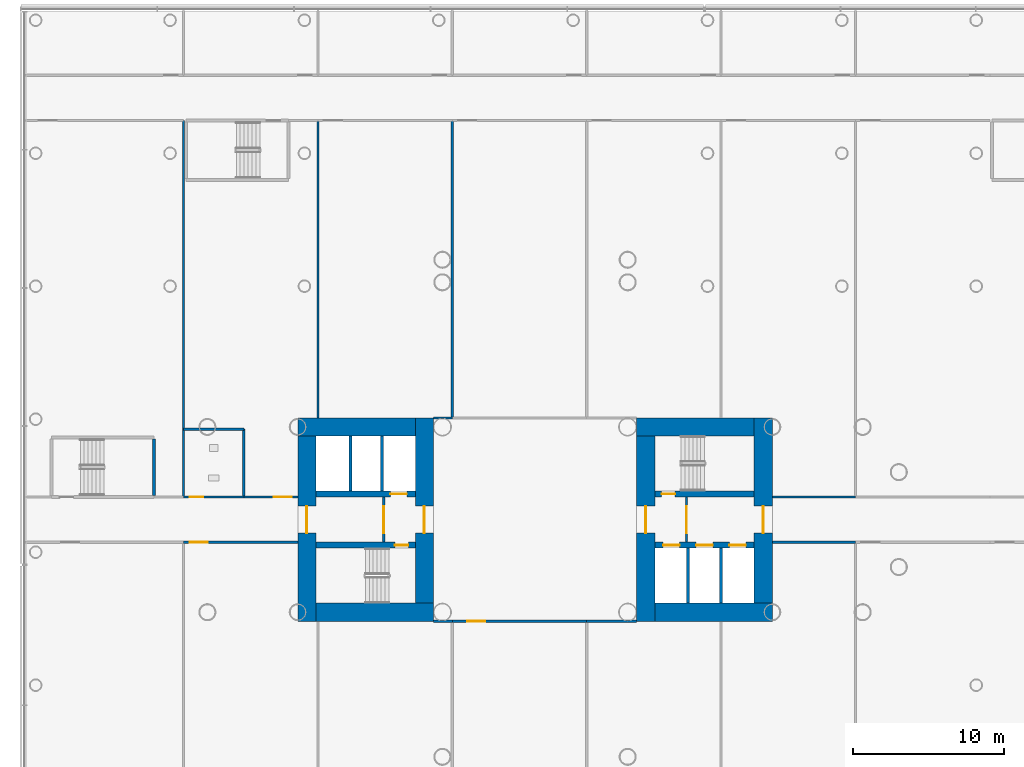
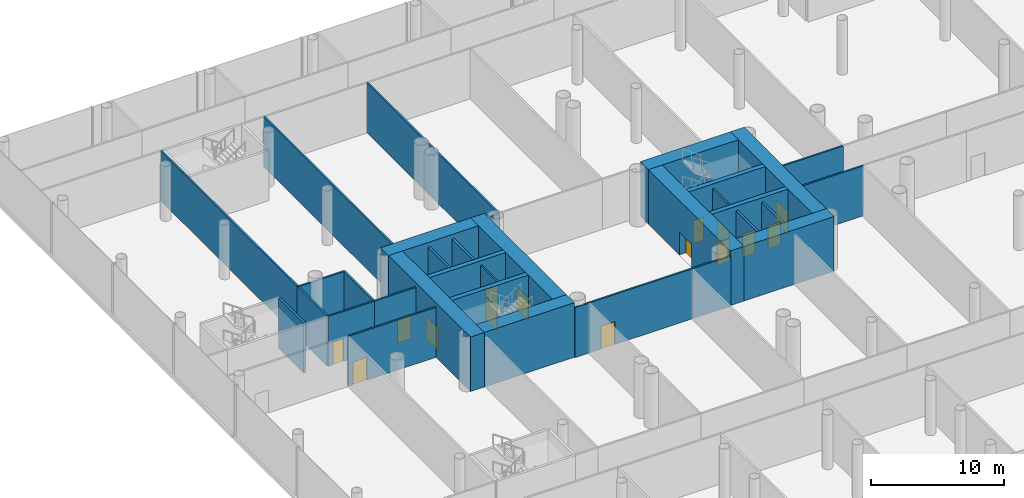
# One storey, part 18 of 59: 34 walls, 16 doors, 16 openings.
"""IFC4 building model written with IfcOpenShell, lengths in metres."""

from ifc_helpers import new_model, si_unit, direction, frame, frame_2d, origin, place, context, subcontext, project, spatial, rectangle, extrude, material, layer, layer_set, type_object, element, fill, save


model = new_model("IFC4")

# Units and contexts
model_context = context("Model", 3, precision=1e-05, world=origin(), true_north=direction((0.0, 1.0)))
body_context = subcontext(model_context, "Body", "Model", "MODEL_VIEW")
ifc_project = project(units=[si_unit("LENGTHUNIT", "METRE"), si_unit("AREAUNIT", "SQUARE_METRE"), si_unit("VOLUMEUNIT", "CUBIC_METRE"), si_unit("PLANEANGLEUNIT", "RADIAN"), si_unit("MASSUNIT", "GRAM", prefix="KILO")], contexts=[model_context])

# Site, building, storey
site_placement = place(None, origin())
site = spatial("IfcSite", under=ifc_project, at=site_placement, CompositionType="ELEMENT")
building_placement = place(site_placement, origin())
building = spatial("IfcBuilding", under=site, at=building_placement, Name="Ipe Terrace Towers", CompositionType="ELEMENT")
storey_placement = place(building_placement, frame((0.0, 0.0, 6.0)))
storey = spatial("IfcBuildingStorey", under=building, at=storey_placement, Name="L01", CompositionType="ELEMENT", Elevation=6.0)

# Wall, opening, door
ifc_material_1 = material(Name="Gypsum board partition", Category="plasterboard")
ifc_layer_1 = layer(ifc_material_1, 0.14990234375)
ifc_layer_set_1 = layer_set([ifc_layer_1], Name="Gypsum board partition 150 mm")
wall_type_1 = type_object("IfcWallType", Name="Gypsum board partition 150 mm", PredefinedType="PARTITIONING", material=ifc_layer_set_1)
wall_1_placement = place(storey_placement, frame((-25.949951171875, -1.5, 0.0), z_axis=(0.0, 0.0, 1.0), x_axis=(0.0, 1.0, 0.0)))
wall_1 = element("IfcWall", 1, at=wall_1_placement, inside=storey, type_object=wall_type_1, Name="Gypsum board partition T1 L01 t1c1-lobby-wall", PredefinedType="PARTITIONING", context=body_context, shape_type="SweptSolid", body=[
    extrude(rectangle(XDim=3.0, YDim=0.14990234375, at=frame_2d((1.5, 0.0))), origin(), (0.0, 0.0, 1.0), 4.580078125),
])
opening_1_placement = place(wall_1_placement, frame((0.60009765625, 0.0, 0.0)))
opening_1 = element("IfcOpeningElement", 2, at=opening_1_placement, cuts=wall_1, Name="Opening T1C1-VD", PredefinedType="OPENING", context=body_context, shape_type="SweptSolid", body=[
    extrude(rectangle(XDim=1.800048828125, YDim=2.10009765625, at=frame_2d((0.89990234375, 1.050048828125))), frame((0.0, 0.0849609375, 0.0), z_axis=(0.0, -1.0, 0.0), x_axis=(1.0, 0.0, 0.0)), (0.0, 0.0, 1.0), 0.169921875),
])
ifc_material_2 = material(Name="Fire-rated timber door leaf", Category="wood")
door_type_1 = type_object("IfcDoorType", Name="Lobby door 1800 x 2100 FD60", OperationType="NOTDEFINED", PredefinedType="DOOR", material=ifc_material_2)
door_1_placement = place(opening_1_placement, origin())
door_1 = element("IfcDoor", 3, at=door_1_placement, inside=storey, type_object=door_type_1, Name="Lobby door T1C1-VD", OperationType="SINGLE_SWING_LEFT", OverallHeight=2.10009765625, OverallWidth=1.800048828125, PredefinedType="DOOR", context=body_context, shape_type="SweptSolid", body=[
    extrude(rectangle(XDim=1.800048828125, YDim=2.10009765625, at=frame_2d((0.89990234375, 1.050048828125))), frame((0.0, 0.02490234375, 0.0), z_axis=(0.0, -1.0, 0.0), x_axis=(1.0, 0.0, 0.0)), (0.0, 0.0, 1.0), 0.050048828125),
])
fill(opening_1, door_1)

wall_2_placement = place(storey_placement, frame((-46.050048828125, 1.5, 0.0), z_axis=(0.0, 0.0, 1.0), x_axis=(0.0, -1.0, 0.0)))
wall_2 = element("IfcWall", 4, at=wall_2_placement, inside=storey, type_object=wall_type_1, Name="Gypsum board partition T1 L01 t1c2-lobby-wall", PredefinedType="PARTITIONING", context=body_context, shape_type="SweptSolid", body=[
    extrude(rectangle(XDim=3.0, YDim=0.14990234375, at=frame_2d((1.5, 0.0))), origin(), (0.0, 0.0, 1.0), 4.580078125),
])
opening_2_placement = place(wall_2_placement, frame((0.60009765625, 0.0, 0.0)))
opening_2 = element("IfcOpeningElement", 5, at=opening_2_placement, cuts=wall_2, Name="Opening T1C2-VD", PredefinedType="OPENING", context=body_context, shape_type="SweptSolid", body=[
    extrude(rectangle(XDim=1.800048828125, YDim=2.10009765625, at=frame_2d((0.89990234375, 1.050048828125))), frame((0.0, 0.0849609375, 0.0), z_axis=(0.0, -1.0, 0.0), x_axis=(1.0, 0.0, 0.0)), (0.0, 0.0, 1.0), 0.169921875),
])
door_2_placement = place(opening_2_placement, origin())
door_2 = element("IfcDoor", 6, at=door_2_placement, inside=storey, type_object=door_type_1, Name="Lobby door T1C2-VD", OperationType="SINGLE_SWING_LEFT", OverallHeight=2.10009765625, OverallWidth=1.800048828125, PredefinedType="DOOR", context=body_context, shape_type="SweptSolid", body=[
    extrude(rectangle(XDim=1.800048828125, YDim=2.10009765625, at=frame_2d((0.89990234375, 1.050048828125))), frame((0.0, 0.02490234375, 0.0), z_axis=(0.0, -1.0, 0.0), x_axis=(1.0, 0.0, 0.0)), (0.0, 0.0, 1.0), 0.050048828125),
])
fill(opening_2, door_2)

# Wall
wall_3_placement = place(storey_placement, frame((-59.330078125, 26.5, 0.0), z_axis=(0.0, 0.0, 1.0), x_axis=(0.0, -1.0, 0.0)))
element("IfcWall", 7, at=wall_3_placement, inside=storey, type_object=wall_type_1, Name="Gypsum board partition T1 L01 pd-r2-r7-w8", PredefinedType="PARTITIONING", context=body_context, shape_type="SweptSolid", body=[
    extrude(rectangle(XDim=20.5, YDim=0.14990234375, at=frame_2d((10.25, 0.0))), origin(), (0.0, 0.0, 1.0), 4.580078125),
])

# Wall, opening, door
wall_4_placement = place(storey_placement, frame((-59.330078125, -1.5, 0.0), z_axis=(0.0, 0.0, 1.0), x_axis=(1.0, 0.0, 0.0)))
wall_4 = element("IfcWall", 8, at=wall_4_placement, inside=storey, type_object=wall_type_1, Name="Gypsum board partition T1 L01 pd-r5-w13", PredefinedType="PARTITIONING", context=body_context, shape_type="SweptSolid", body=[
    extrude(rectangle(XDim=7.580078125, YDim=0.14990234375, at=frame_2d((3.7900390625, 0.0))), origin(), (0.0, 0.0, 1.0), 4.580078125),
])
opening_3_placement = place(wall_4_placement, frame((0.39990234375, 0.0, 0.0)))
opening_3 = element("IfcOpeningElement", 9, at=opening_3_placement, cuts=wall_4, Name="Opening PD-L01-r5", PredefinedType="OPENING", context=body_context, shape_type="SweptSolid", body=[
    extrude(rectangle(XDim=1.199951171875, YDim=2.10009765625, at=frame_2d((0.60009765625, 1.050048828125))), frame((0.0, 0.0849609375, 0.0), z_axis=(0.0, -1.0, 0.0), x_axis=(1.0, 0.0, 0.0)), (0.0, 0.0, 1.0), 0.169921875),
])
ifc_material_3 = material(Name="Fire-rated timber door leaf", Category="wood")
door_type_2 = type_object("IfcDoorType", Name="Lounge door 1200 x 2100 FD30S", OperationType="NOTDEFINED", PredefinedType="DOOR", material=ifc_material_3)
door_3_placement = place(opening_3_placement, origin())
door_3 = element("IfcDoor", 10, at=door_3_placement, inside=storey, type_object=door_type_2, Name="Lounge door PD-L01-r5", OperationType="SINGLE_SWING_RIGHT", OverallHeight=2.10009765625, OverallWidth=1.199951171875, PredefinedType="DOOR", context=body_context, shape_type="SweptSolid", body=[
    extrude(rectangle(XDim=1.199951171875, YDim=2.10009765625, at=frame_2d((0.60009765625, 1.050048828125))), frame((0.0, 0.02490234375, 0.0), z_axis=(0.0, -1.0, 0.0), x_axis=(1.0, 0.0, 0.0)), (0.0, 0.0, 1.0), 0.050048828125),
])
fill(opening_3, door_3)

wall_5_placement = place(storey_placement, frame((-51.75, 1.5, 0.0), z_axis=(0.0, 0.0, 1.0), x_axis=(-1.0, 0.0, 0.0)))
wall_5 = element("IfcWall", 11, at=wall_5_placement, inside=storey, type_object=wall_type_1, Name="Gypsum board partition T1 L01 pd-r7-w17", PredefinedType="PARTITIONING", context=body_context, shape_type="SweptSolid", body=[
    extrude(rectangle(XDim=3.580078125, YDim=0.14990234375, at=frame_2d((1.7900390625, 0.0))), origin(), (0.0, 0.0, 1.0), 4.580078125),
])
opening_4_placement = place(wall_5_placement, frame((0.39990234375, 0.0, 0.0)))
opening_4 = element("IfcOpeningElement", 12, at=opening_4_placement, cuts=wall_5, Name="Opening PD-L01-r7", PredefinedType="OPENING", context=body_context, shape_type="SweptSolid", body=[
    extrude(rectangle(XDim=1.199951171875, YDim=2.10009765625, at=frame_2d((0.60009765625, 1.050048828125))), frame((0.0, 0.0849609375, 0.0), z_axis=(0.0, -1.0, 0.0), x_axis=(1.0, 0.0, 0.0)), (0.0, 0.0, 1.0), 0.169921875),
])
door_4_placement = place(opening_4_placement, origin())
door_4 = element("IfcDoor", 13, at=door_4_placement, inside=storey, type_object=door_type_2, Name="Lounge door PD-L01-r7", OperationType="SINGLE_SWING_RIGHT", OverallHeight=2.10009765625, OverallWidth=1.199951171875, PredefinedType="DOOR", context=body_context, shape_type="SweptSolid", body=[
    extrude(rectangle(XDim=1.199951171875, YDim=2.10009765625, at=frame_2d((0.60009765625, 1.050048828125))), frame((0.0, 0.02490234375, 0.0), z_axis=(0.0, -1.0, 0.0), x_axis=(1.0, 0.0, 0.0)), (0.0, 0.0, 1.0), 0.050048828125),
])
fill(opening_4, door_4)

# Walls
for number, where, z_axis, x_axis, name in (
    (14, (-42.75, -6.75, 0.0), (0.0, 0.0, 1.0), (1.0, 0.0, 0.0), "Gypsum board partition T1 L01 pd-r9-w20"),
    (15, (-41.489990234375, 6.75, 0.0), (0.0, 0.0, 1.0), (-1.0, 0.0, 0.0), "Gypsum board partition T1 L01 pd-r11-w26"),
):
    element("IfcWall", number, at=place(storey_placement, frame(where, z_axis=z_axis, x_axis=x_axis)), inside=storey, type_object=wall_type_1, Name=name, PredefinedType="PARTITIONING", context=body_context, shape_type="SweptSolid", body=[
        extrude(rectangle(XDim=1.260009765625, YDim=0.14990234375, at=frame_2d((0.6298828125, 0.0))), origin(), (0.0, 0.0, 1.0), 4.580078125),
    ])
for number, where, z_axis, x_axis, name in (
    (16, (-50.409912109375, 6.75, 0.0), (0.0, 0.0, 1.0), (0.0, 1.0, 0.0), "Gypsum board partition T1 L01 pd-r11-r7-w27"),
    (17, (-41.489990234375, 26.5, 0.0), (0.0, 0.0, 1.0), (0.0, -1.0, 0.0), "Gypsum board partition T1 L01 pd-r11-r14-w28"),
):
    element("IfcWall", number, at=place(storey_placement, frame(where, z_axis=z_axis, x_axis=x_axis)), inside=storey, type_object=wall_type_1, Name=name, PredefinedType="PARTITIONING", context=body_context, shape_type="SweptSolid", body=[
        extrude(rectangle(XDim=19.75, YDim=0.14990234375, at=frame_2d((9.875, 0.0))), origin(), (0.0, 0.0, 1.0), 4.580078125),
    ])

# Wall, opening, door
wall_6_placement = place(storey_placement, frame((-41.489990234375, -6.75, 0.0), z_axis=(0.0, 0.0, 1.0), x_axis=(1.0, 0.0, 0.0)))
wall_6 = element("IfcWall", 18, at=wall_6_placement, inside=storey, type_object=wall_type_1, Name="Gypsum board partition T1 L01 pd-r13-w32", PredefinedType="PARTITIONING", context=body_context, shape_type="SweptSolid", body=[
    extrude(rectangle(XDim=8.919921875, YDim=0.14990234375, at=frame_2d((4.4599609375, 0.0))), origin(), (0.0, 0.0, 1.0), 4.580078125),
])
opening_5_placement = place(wall_6_placement, frame((1.0, 0.0, 0.0)))
opening_5 = element("IfcOpeningElement", 19, at=opening_5_placement, cuts=wall_6, Name="Opening PD-L01-r13", PredefinedType="OPENING", context=body_context, shape_type="SweptSolid", body=[
    extrude(rectangle(XDim=1.199951171875, YDim=2.10009765625, at=frame_2d((0.60009765625, 1.050048828125))), frame((0.0, 0.0849609375, 0.0), z_axis=(0.0, -1.0, 0.0), x_axis=(1.0, 0.0, 0.0)), (0.0, 0.0, 1.0), 0.169921875),
])
door_5_placement = place(opening_5_placement, origin())
door_5 = element("IfcDoor", 20, at=door_5_placement, inside=storey, type_object=door_type_2, Name="Lounge door PD-L01-r13", OperationType="SINGLE_SWING_RIGHT", OverallHeight=2.10009765625, OverallWidth=1.199951171875, PredefinedType="DOOR", context=body_context, shape_type="SweptSolid", body=[
    extrude(rectangle(XDim=1.199951171875, YDim=2.10009765625, at=frame_2d((0.60009765625, 1.050048828125))), frame((0.0, 0.02490234375, 0.0), z_axis=(0.0, -1.0, 0.0), x_axis=(1.0, 0.0, 0.0)), (0.0, 0.0, 1.0), 0.050048828125),
])
fill(opening_5, door_5)

# Walls
wall_7_placement = place(storey_placement, frame((-32.570068359375, -6.75, 0.0), z_axis=(0.0, 0.0, 1.0), x_axis=(1.0, 0.0, 0.0)))
element("IfcWall", 21, at=wall_7_placement, inside=storey, type_object=wall_type_1, Name="Gypsum board partition T1 L01 pd-r17-w43", PredefinedType="PARTITIONING", context=body_context, shape_type="SweptSolid", body=[
    extrude(rectangle(XDim=3.320068359375, YDim=0.14990234375, at=frame_2d((1.66015625, 0.0))), origin(), (0.0, 0.0, 1.0), 4.580078125),
])
for number, where, z_axis, x_axis, name in (
    (22, (-20.25, -1.5, 0.0), (0.0, 0.0, 1.0), (1.0, 0.0, 0.0), "Gypsum board partition T1 L01 pd-r22-w55"),
    (23, (-14.72998046875, 1.5, 0.0), (0.0, 0.0, 1.0), (-1.0, 0.0, 0.0), "Gypsum board partition T1 L01 pd-r23-w59"),
):
    element("IfcWall", number, at=place(storey_placement, frame(where, z_axis=z_axis, x_axis=x_axis)), inside=storey, type_object=wall_type_1, Name=name, PredefinedType="PARTITIONING", context=body_context, shape_type="SweptSolid", body=[
        extrude(rectangle(XDim=5.52001953125, YDim=0.14990234375, at=frame_2d((2.760009765625, 0.0))), origin(), (0.0, 0.0, 1.0), 4.580078125),
    ])

# Wall, opening, door
wall_8_placement = place(storey_placement, frame((-59.330078125, 1.5, 0.0), z_axis=(0.0, 0.0, 1.0), x_axis=(1.0, 0.0, 0.0)))
wall_8 = element("IfcWall", 24, at=wall_8_placement, inside=storey, type_object=wall_type_1, Name="Gypsum board partition T1 L01 pd-c0-w67", PredefinedType="PARTITIONING", context=body_context, shape_type="SweptSolid", body=[
    extrude(rectangle(XDim=4.0, YDim=0.14990234375, at=frame_2d((2.0, 0.0))), origin(), (0.0, 0.0, 1.0), 4.580078125),
])
opening_6_placement = place(wall_8_placement, frame((0.39990234375, 0.0, 0.0)))
opening_6 = element("IfcOpeningElement", 25, at=opening_6_placement, cuts=wall_8, Name="Opening PD-L01-c0", PredefinedType="OPENING", context=body_context, shape_type="SweptSolid", body=[
    extrude(rectangle(XDim=0.89990234375, YDim=2.10009765625, at=frame_2d((0.449951171875, 1.050048828125))), frame((0.0, 0.0849609375, 0.0), z_axis=(0.0, -1.0, 0.0), x_axis=(1.0, 0.0, 0.0)), (0.0, 0.0, 1.0), 0.169921875),
])
ifc_material_4 = material(Name="Fire-rated timber door leaf", Category="wood")
door_type_3 = type_object("IfcDoorType", Name="Lounge door 900 x 2100 FD30S", OperationType="NOTDEFINED", PredefinedType="DOOR", material=ifc_material_4)
door_6_placement = place(opening_6_placement, origin())
door_6 = element("IfcDoor", 26, at=door_6_placement, inside=storey, type_object=door_type_3, Name="Lounge door PD-L01-c0", OperationType="SINGLE_SWING_LEFT", OverallHeight=2.10009765625, OverallWidth=0.89990234375, PredefinedType="DOOR", context=body_context, shape_type="SweptSolid", body=[
    extrude(rectangle(XDim=0.89990234375, YDim=2.10009765625, at=frame_2d((0.449951171875, 1.050048828125))), frame((0.0, 0.02490234375, 0.0), z_axis=(0.0, -1.0, 0.0), x_axis=(1.0, 0.0, 0.0)), (0.0, 0.0, 1.0), 0.050048828125),
])
fill(opening_6, door_6)

# Walls
for number, where, z_axis, x_axis, name in (
    (27, (-59.330078125, 6.0, 0.0), (0.0, 0.0, 1.0), (0.0, -1.0, 0.0), "Gypsum board partition T1 L01 pd-c0-r2-w68"),
    (28, (-55.330078125, 1.5, 0.0), (0.0, 0.0, 1.0), (0.0, 1.0, 0.0), "Gypsum board partition T1 L01 pd-c0-r7-w69"),
):
    element("IfcWall", number, at=place(storey_placement, frame(where, z_axis=z_axis, x_axis=x_axis)), inside=storey, type_object=wall_type_1, Name=name, PredefinedType="PARTITIONING", context=body_context, shape_type="SweptSolid", body=[
        extrude(rectangle(XDim=4.5, YDim=0.14990234375, at=frame_2d((2.25, 0.0))), origin(), (0.0, 0.0, 1.0), 4.580078125),
    ])
wall_9_placement = place(storey_placement, frame((-55.330078125, 6.0, 0.0), z_axis=(0.0, 0.0, 1.0), x_axis=(-1.0, 0.0, 0.0)))
element("IfcWall", 29, at=wall_9_placement, inside=storey, type_object=wall_type_1, Name="Gypsum board partition T1 L01 pd-c0-r7-w70", PredefinedType="PARTITIONING", context=body_context, shape_type="SweptSolid", body=[
    extrude(rectangle(XDim=4.0, YDim=0.14990234375, at=frame_2d((2.0, 0.0))), origin(), (0.0, 0.0, 1.0), 4.580078125),
])
ifc_material_5 = material(Name="Gypsum board party wall", Category="plasterboard")
ifc_layer_2 = layer(ifc_material_5, 0.199951171875)
ifc_layer_set_2 = layer_set([ifc_layer_2], Name="Gypsum board party wall 200 mm")
wall_type_2 = type_object("IfcWallType", Name="Gypsum board party wall 200 mm", PredefinedType="SOLIDWALL", material=ifc_layer_set_2)
for number, where, z_axis, x_axis, name in (
    (30, (-25.85009765625, -5.550048828125, 0.0), (0.0, 0.0, 1.0), (0.0, 1.0, 0.0), "Gypsum board party wall T1 L01 t1c1-shaft-div1"),
    (31, (-23.64990234375, -5.550048828125, 0.0), (0.0, 0.0, 1.0), (0.0, 1.0, 0.0), "Gypsum board party wall T1 L01 t1c1-shaft-div2"),
    (32, (-46.14990234375, 5.550048828125, 0.0), (0.0, 0.0, 1.0), (0.0, -1.0, 0.0), "Gypsum board party wall T1 L01 t1c2-shaft-div1"),
    (33, (-48.25, 5.550048828125, 0.0), (0.0, 0.0, 1.0), (0.0, -1.0, 0.0), "Gypsum board party wall T1 L01 t1c2-shaft-div2"),
):
    element("IfcWall", number, at=place(storey_placement, frame(where, z_axis=z_axis, x_axis=x_axis)), inside=storey, type_object=wall_type_2, Name=name, PredefinedType="SOLIDWALL", context=body_context, shape_type="SweptSolid", body=[
        extrude(rectangle(XDim=3.650146484375, YDim=0.199951171875, at=frame_2d((1.8251953125, 0.0))), origin(), (0.0, 0.0, 1.0), 4.580078125),
    ])
ifc_material_6 = material(Name="Concrete C60/75", Category="concrete")
ifc_layer_3 = layer(ifc_material_6, 1.199951171875)
ifc_layer_set_3 = layer_set([ifc_layer_3], Name="RW1200 CORE WALL 1200 C60-75")
wall_type_3 = type_object("IfcWallType", Name="RW1200 CORE WALL 1200 C60-75", PredefinedType="SHEAR", material=ifc_layer_set_3)
wall_10_placement = place(storey_placement, frame((-28.050048828125, -6.14990234375, 0.0), z_axis=(0.0, 0.0, 1.0), x_axis=(1.0, 0.0, 0.0)))
element("IfcWall", 34, at=wall_10_placement, inside=storey, type_object=wall_type_3, Name="Core wall T1-C1-P-W01", PredefinedType="SHEAR", context=body_context, shape_type="SweptSolid", body=[
    extrude(rectangle(XDim=7.800048828125, YDim=1.199951171875, at=frame_2d((3.89990234375, 0.0))), origin(), (0.0, 0.0, 1.0), 5.0),
])

# Wall, opening, door
wall_11_placement = place(storey_placement, frame((-20.85009765625, -5.550048828125, 0.0), z_axis=(0.0, 0.0, 1.0), x_axis=(0.0, 1.0, 0.0)))
wall_11 = element("IfcWall", 35, at=wall_11_placement, inside=storey, type_object=wall_type_3, Name="Core wall T1-C1-P-W02", PredefinedType="SHEAR", context=body_context, shape_type="SweptSolid", body=[
    extrude(rectangle(XDim=12.300048828125, YDim=1.199951171875, at=frame_2d((6.14990234375, 0.0))), origin(), (0.0, 0.0, 1.0), 5.0),
])
opening_7_placement = place(wall_11_placement, frame((4.64990234375, 0.0, 0.0)))
opening_7 = element("IfcOpeningElement", 36, at=opening_7_placement, cuts=wall_11, Name="Opening T1C1-FD", PredefinedType="OPENING", context=body_context, shape_type="SweptSolid", body=[
    extrude(rectangle(XDim=1.800048828125, YDim=2.10009765625, at=frame_2d((0.89990234375, 1.050048828125))), frame((0.0, 0.60986328125, 0.0), z_axis=(0.0, -1.0, 0.0), x_axis=(1.0, 0.0, 0.0)), (0.0, 0.0, 1.0), 1.219970703125),
])
ifc_material_7 = material(Name="Fire-rated timber door leaf", Category="wood")
door_type_4 = type_object("IfcDoorType", Name="Fire door 1800 x 2100 FD30S", OperationType="NOTDEFINED", PredefinedType="DOOR", material=ifc_material_7)
door_7_placement = place(opening_7_placement, origin())
door_7 = element("IfcDoor", 37, at=door_7_placement, inside=storey, type_object=door_type_4, Name="Fire door T1C1-FD", OperationType="SINGLE_SWING_LEFT", OverallHeight=2.10009765625, OverallWidth=1.800048828125, PredefinedType="DOOR", context=body_context, shape_type="SweptSolid", body=[
    extrude(rectangle(XDim=1.800048828125, YDim=2.10009765625, at=frame_2d((0.89990234375, 1.050048828125))), frame((0.0, 0.02490234375, 0.0), z_axis=(0.0, -1.0, 0.0), x_axis=(1.0, 0.0, 0.0)), (0.0, 0.0, 1.0), 0.050048828125),
])
fill(opening_7, door_7)

# Wall
wall_12_placement = place(storey_placement, frame((-21.449951171875, 6.14990234375, 0.0), z_axis=(0.0, 0.0, 1.0), x_axis=(-1.0, 0.0, 0.0)))
element("IfcWall", 38, at=wall_12_placement, inside=storey, type_object=wall_type_3, Name="Core wall T1-C1-P-W03", PredefinedType="SHEAR", context=body_context, shape_type="SweptSolid", body=[
    extrude(rectangle(XDim=7.800048828125, YDim=1.199951171875, at=frame_2d((3.89990234375, 0.0))), origin(), (0.0, 0.0, 1.0), 5.0),
])

# Wall, opening, door
wall_13_placement = place(storey_placement, frame((-28.64990234375, 5.550048828125, 0.0), z_axis=(0.0, 0.0, 1.0), x_axis=(0.0, -1.0, 0.0)))
wall_13 = element("IfcWall", 39, at=wall_13_placement, inside=storey, type_object=wall_type_3, Name="Core wall T1-C1-P-W04", PredefinedType="SHEAR", context=body_context, shape_type="SweptSolid", body=[
    extrude(rectangle(XDim=12.300048828125, YDim=1.199951171875, at=frame_2d((6.14990234375, 0.0))), origin(), (0.0, 0.0, 1.0), 5.0),
])
opening_8_placement = place(wall_13_placement, frame((4.64990234375, 0.0, 0.0)))
opening_8 = element("IfcOpeningElement", 40, at=opening_8_placement, cuts=wall_13, Name="Opening T1C1-ND", PredefinedType="OPENING", context=body_context, shape_type="SweptSolid", body=[
    extrude(rectangle(XDim=1.800048828125, YDim=2.10009765625, at=frame_2d((0.89990234375, 1.050048828125))), frame((0.0, 0.60986328125, 0.0), z_axis=(0.0, -1.0, 0.0), x_axis=(1.0, 0.0, 0.0)), (0.0, 0.0, 1.0), 1.219970703125),
])
door_8_placement = place(opening_8_placement, origin())
door_8 = element("IfcDoor", 41, at=door_8_placement, inside=storey, type_object=door_type_4, Name="Fire door T1C1-ND", OperationType="SINGLE_SWING_LEFT", OverallHeight=2.10009765625, OverallWidth=1.800048828125, PredefinedType="DOOR", context=body_context, shape_type="SweptSolid", body=[
    extrude(rectangle(XDim=1.800048828125, YDim=2.10009765625, at=frame_2d((0.89990234375, 1.050048828125))), frame((0.0, 0.02490234375, 0.0), z_axis=(0.0, -1.0, 0.0), x_axis=(1.0, 0.0, 0.0)), (0.0, 0.0, 1.0), 0.050048828125),
])
fill(opening_8, door_8)

# Wall
wall_14_placement = place(storey_placement, frame((-50.550048828125, -6.14990234375, 0.0), z_axis=(0.0, 0.0, 1.0), x_axis=(1.0, 0.0, 0.0)))
element("IfcWall", 42, at=wall_14_placement, inside=storey, type_object=wall_type_3, Name="Core wall T1-C2-P-W01", PredefinedType="SHEAR", context=body_context, shape_type="SweptSolid", body=[
    extrude(rectangle(XDim=7.800048828125, YDim=1.199951171875, at=frame_2d((3.89990234375, 0.0))), origin(), (0.0, 0.0, 1.0), 5.0),
])

# Wall, opening, door
wall_15_placement = place(storey_placement, frame((-43.35009765625, -5.550048828125, 0.0), z_axis=(0.0, 0.0, 1.0), x_axis=(0.0, 1.0, 0.0)))
wall_15 = element("IfcWall", 43, at=wall_15_placement, inside=storey, type_object=wall_type_3, Name="Core wall T1-C2-P-W02", PredefinedType="SHEAR", context=body_context, shape_type="SweptSolid", body=[
    extrude(rectangle(XDim=12.300048828125, YDim=1.199951171875, at=frame_2d((6.14990234375, 0.0))), origin(), (0.0, 0.0, 1.0), 5.0),
])
opening_9_placement = place(wall_15_placement, frame((4.64990234375, 0.0, 0.0)))
opening_9 = element("IfcOpeningElement", 44, at=opening_9_placement, cuts=wall_15, Name="Opening T1C2-ND", PredefinedType="OPENING", context=body_context, shape_type="SweptSolid", body=[
    extrude(rectangle(XDim=1.800048828125, YDim=2.10009765625, at=frame_2d((0.89990234375, 1.050048828125))), frame((0.0, 0.60986328125, 0.0), z_axis=(0.0, -1.0, 0.0), x_axis=(1.0, 0.0, 0.0)), (0.0, 0.0, 1.0), 1.219970703125),
])
door_9_placement = place(opening_9_placement, origin())
door_9 = element("IfcDoor", 45, at=door_9_placement, inside=storey, type_object=door_type_4, Name="Fire door T1C2-ND", OperationType="SINGLE_SWING_LEFT", OverallHeight=2.10009765625, OverallWidth=1.800048828125, PredefinedType="DOOR", context=body_context, shape_type="SweptSolid", body=[
    extrude(rectangle(XDim=1.800048828125, YDim=2.10009765625, at=frame_2d((0.89990234375, 1.050048828125))), frame((0.0, 0.02490234375, 0.0), z_axis=(0.0, -1.0, 0.0), x_axis=(1.0, 0.0, 0.0)), (0.0, 0.0, 1.0), 0.050048828125),
])
fill(opening_9, door_9)

# Wall
wall_16_placement = place(storey_placement, frame((-43.949951171875, 6.14990234375, 0.0), z_axis=(0.0, 0.0, 1.0), x_axis=(-1.0, 0.0, 0.0)))
element("IfcWall", 46, at=wall_16_placement, inside=storey, type_object=wall_type_3, Name="Core wall T1-C2-P-W03", PredefinedType="SHEAR", context=body_context, shape_type="SweptSolid", body=[
    extrude(rectangle(XDim=7.800048828125, YDim=1.199951171875, at=frame_2d((3.89990234375, 0.0))), origin(), (0.0, 0.0, 1.0), 5.0),
])

# Wall, opening, door
wall_17_placement = place(storey_placement, frame((-51.14990234375, 5.550048828125, 0.0), z_axis=(0.0, 0.0, 1.0), x_axis=(0.0, -1.0, 0.0)))
wall_17 = element("IfcWall", 47, at=wall_17_placement, inside=storey, type_object=wall_type_3, Name="Core wall T1-C2-P-W04", PredefinedType="SHEAR", context=body_context, shape_type="SweptSolid", body=[
    extrude(rectangle(XDim=12.300048828125, YDim=1.199951171875, at=frame_2d((6.14990234375, 0.0))), origin(), (0.0, 0.0, 1.0), 5.0),
])
opening_10_placement = place(wall_17_placement, frame((4.64990234375, 0.0, 0.0)))
opening_10 = element("IfcOpeningElement", 48, at=opening_10_placement, cuts=wall_17, Name="Opening T1C2-FD", PredefinedType="OPENING", context=body_context, shape_type="SweptSolid", body=[
    extrude(rectangle(XDim=1.800048828125, YDim=2.10009765625, at=frame_2d((0.89990234375, 1.050048828125))), frame((0.0, 0.60986328125, 0.0), z_axis=(0.0, -1.0, 0.0), x_axis=(1.0, 0.0, 0.0)), (0.0, 0.0, 1.0), 1.219970703125),
])
door_10_placement = place(opening_10_placement, origin())
door_10 = element("IfcDoor", 49, at=door_10_placement, inside=storey, type_object=door_type_4, Name="Fire door T1C2-FD", OperationType="SINGLE_SWING_LEFT", OverallHeight=2.10009765625, OverallWidth=1.800048828125, PredefinedType="DOOR", context=body_context, shape_type="SweptSolid", body=[
    extrude(rectangle(XDim=1.800048828125, YDim=2.10009765625, at=frame_2d((0.89990234375, 1.050048828125))), frame((0.0, 0.02490234375, 0.0), z_axis=(0.0, -1.0, 0.0), x_axis=(1.0, 0.0, 0.0)), (0.0, 0.0, 1.0), 0.050048828125),
])
fill(opening_10, door_10)

# Wall
ifc_material_8 = material(Name="Concrete C40/50", Category="concrete")
ifc_layer_4 = layer(ifc_material_8, 0.199951171875)
ifc_layer_set_4 = layer_set([ifc_layer_4], Name="RW200 PODIUM STAIR SHAFT WALL 200 C40-50")
wall_type_4 = type_object("IfcWallType", Name="RW200 PODIUM STAIR SHAFT WALL 200 C40-50", PredefinedType="SHEAR", material=ifc_layer_set_4)
wall_18_placement = place(storey_placement, frame((-61.2900390625, 1.60009765625, 0.0), z_axis=(0.0, 0.0, 1.0), x_axis=(0.0, 1.0, 0.0)))
element("IfcWall", 50, at=wall_18_placement, inside=storey, type_object=wall_type_4, Name="Stair shaft wall T1 L01 ps7-e", PredefinedType="SHEAR", context=body_context, shape_type="SweptSolid", body=[
    extrude(rectangle(XDim=3.75, YDim=0.199951171875, at=frame_2d((1.875, 0.0))), origin(), (0.0, 0.0, 1.0), 4.580078125),
])

# Wall, openings, doors
ifc_material_9 = material(Name="Concrete C60/75", Category="concrete")
ifc_layer_5 = layer(ifc_material_9, 0.39990234375)
ifc_layer_set_5 = layer_set([ifc_layer_5], Name="RW400 CORE SPINE WALL 400 C60-75")
wall_type_5 = type_object("IfcWallType", Name="RW400 CORE SPINE WALL 400 C60-75", PredefinedType="SHEAR", material=ifc_layer_set_5)
wall_19_placement = place(storey_placement, frame((-28.050048828125, -1.699951171875, 0.0), z_axis=(0.0, 0.0, 1.0), x_axis=(1.0, 0.0, 0.0)))
wall_19 = element("IfcWall", 51, at=wall_19_placement, inside=storey, type_object=wall_type_5, Name="Core spine wall T1-C1-P-SW1", PredefinedType="SHEAR", context=body_context, shape_type="SweptSolid", body=[
    extrude(rectangle(XDim=6.60009765625, YDim=0.39990234375, at=frame_2d((3.300048828125, 0.0))), origin(), (0.0, 0.0, 1.0), 5.0),
])
opening_11_placement = place(wall_19_placement, frame((0.550048828125, 0.0, 0.0)))
opening_11 = element("IfcOpeningElement", 52, at=opening_11_placement, cuts=wall_19, Name="Opening T1C1-LD1", PredefinedType="OPENING", context=body_context, shape_type="SweptSolid", body=[
    extrude(rectangle(XDim=1.10009765625, YDim=2.10009765625, at=frame_2d((0.550048828125, 1.050048828125))), frame((0.0, 0.2099609375, 0.0), z_axis=(0.0, -1.0, 0.0), x_axis=(1.0, 0.0, 0.0)), (0.0, 0.0, 1.0), 0.419921875),
])
opening_12_placement = place(wall_19_placement, frame((2.75, 0.0, 0.0)))
opening_12 = element("IfcOpeningElement", 53, at=opening_12_placement, cuts=wall_19, Name="Opening T1C1-LD2", PredefinedType="OPENING", context=body_context, shape_type="SweptSolid", body=[
    extrude(rectangle(XDim=1.10009765625, YDim=2.10009765625, at=frame_2d((0.550048828125, 1.050048828125))), frame((0.0, 0.2099609375, 0.0), z_axis=(0.0, -1.0, 0.0), x_axis=(1.0, 0.0, 0.0)), (0.0, 0.0, 1.0), 0.419921875),
])
opening_13_placement = place(wall_19_placement, frame((4.949951171875, 0.0, 0.0)))
opening_13 = element("IfcOpeningElement", 54, at=opening_13_placement, cuts=wall_19, Name="Opening T1C1-LD3", PredefinedType="OPENING", context=body_context, shape_type="SweptSolid", body=[
    extrude(rectangle(XDim=1.10009765625, YDim=2.10009765625, at=frame_2d((0.550048828125, 1.050048828125))), frame((0.0, 0.2099609375, 0.0), z_axis=(0.0, -1.0, 0.0), x_axis=(1.0, 0.0, 0.0)), (0.0, 0.0, 1.0), 0.419921875),
])
ifc_material_10 = material(Name="Fire-rated timber door leaf", Category="wood")
door_type_5 = type_object("IfcDoorType", Name="Sliding door 1100 x 2100 FD60", OperationType="SLIDING_TO_LEFT", PredefinedType="DOOR", material=ifc_material_10)
door_11_placement = place(opening_11_placement, origin())
door_11 = element("IfcDoor", 55, at=door_11_placement, inside=storey, type_object=door_type_5, Name="Sliding door T1C1-LD1", OperationType="SLIDING_TO_LEFT", OverallHeight=2.10009765625, OverallWidth=1.10009765625, PredefinedType="DOOR", context=body_context, shape_type="SweptSolid", body=[
    extrude(rectangle(XDim=1.10009765625, YDim=2.10009765625, at=frame_2d((0.550048828125, 1.050048828125))), frame((0.0, 0.02490234375, 0.0), z_axis=(0.0, -1.0, 0.0), x_axis=(1.0, 0.0, 0.0)), (0.0, 0.0, 1.0), 0.050048828125),
])
fill(opening_11, door_11)
door_12_placement = place(opening_12_placement, origin())
door_12 = element("IfcDoor", 56, at=door_12_placement, inside=storey, type_object=door_type_5, Name="Sliding door T1C1-LD2", OperationType="SLIDING_TO_LEFT", OverallHeight=2.10009765625, OverallWidth=1.10009765625, PredefinedType="DOOR", context=body_context, shape_type="SweptSolid", body=[
    extrude(rectangle(XDim=1.10009765625, YDim=2.10009765625, at=frame_2d((0.550048828125, 1.050048828125))), frame((0.0, 0.02490234375, 0.0), z_axis=(0.0, -1.0, 0.0), x_axis=(1.0, 0.0, 0.0)), (0.0, 0.0, 1.0), 0.050048828125),
])
fill(opening_12, door_12)
door_13_placement = place(opening_13_placement, origin())
door_13 = element("IfcDoor", 57, at=door_13_placement, inside=storey, type_object=door_type_5, Name="Sliding door T1C1-LD3", OperationType="SLIDING_TO_LEFT", OverallHeight=2.10009765625, OverallWidth=1.10009765625, PredefinedType="DOOR", context=body_context, shape_type="SweptSolid", body=[
    extrude(rectangle(XDim=1.10009765625, YDim=2.10009765625, at=frame_2d((0.550048828125, 1.050048828125))), frame((0.0, 0.02490234375, 0.0), z_axis=(0.0, -1.0, 0.0), x_axis=(1.0, 0.0, 0.0)), (0.0, 0.0, 1.0), 0.050048828125),
])
fill(opening_13, door_13)

# Wall, opening, door
wall_20_placement = place(storey_placement, frame((-28.050048828125, 1.699951171875, 0.0), z_axis=(0.0, 0.0, 1.0), x_axis=(1.0, 0.0, 0.0)))
wall_20 = element("IfcWall", 58, at=wall_20_placement, inside=storey, type_object=wall_type_5, Name="Core spine wall T1-C1-P-SW2", PredefinedType="SHEAR", context=body_context, shape_type="SweptSolid", body=[
    extrude(rectangle(XDim=6.60009765625, YDim=0.39990234375, at=frame_2d((3.300048828125, 0.0))), origin(), (0.0, 0.0, 1.0), 5.0),
])
opening_14_placement = place(wall_20_placement, frame((0.449951171875, 0.0, 0.0)))
opening_14 = element("IfcOpeningElement", 59, at=opening_14_placement, cuts=wall_20, Name="Opening T1C1-SD", PredefinedType="OPENING", context=body_context, shape_type="SweptSolid", body=[
    extrude(rectangle(XDim=0.89990234375, YDim=2.10009765625, at=frame_2d((0.449951171875, 1.050048828125))), frame((0.0, 0.2099609375, 0.0), z_axis=(0.0, -1.0, 0.0), x_axis=(1.0, 0.0, 0.0)), (0.0, 0.0, 1.0), 0.419921875),
])
ifc_material_11 = material(Name="Fire-rated timber door leaf", Category="wood")
door_type_6 = type_object("IfcDoorType", Name="Stair door 900 x 2100 FD60", OperationType="NOTDEFINED", PredefinedType="DOOR", material=ifc_material_11)
door_14_placement = place(opening_14_placement, origin())
door_14 = element("IfcDoor", 60, at=door_14_placement, inside=storey, type_object=door_type_6, Name="Stair door T1C1-SD", OperationType="SINGLE_SWING_LEFT", OverallHeight=2.10009765625, OverallWidth=0.89990234375, PredefinedType="DOOR", context=body_context, shape_type="SweptSolid", body=[
    extrude(rectangle(XDim=0.89990234375, YDim=2.10009765625, at=frame_2d((0.449951171875, 1.050048828125))), frame((0.0, 0.02490234375, 0.0), z_axis=(0.0, -1.0, 0.0), x_axis=(1.0, 0.0, 0.0)), (0.0, 0.0, 1.0), 0.050048828125),
])
fill(opening_14, door_14)

wall_21_placement = place(storey_placement, frame((-50.550048828125, -1.699951171875, 0.0), z_axis=(0.0, 0.0, 1.0), x_axis=(1.0, 0.0, 0.0)))
wall_21 = element("IfcWall", 61, at=wall_21_placement, inside=storey, type_object=wall_type_5, Name="Core spine wall T1-C2-P-SW1", PredefinedType="SHEAR", context=body_context, shape_type="SweptSolid", body=[
    extrude(rectangle(XDim=6.60009765625, YDim=0.39990234375, at=frame_2d((3.300048828125, 0.0))), origin(), (0.0, 0.0, 1.0), 5.0),
])
opening_15_placement = place(wall_21_placement, frame((5.25, 0.0, 0.0)))
opening_15 = element("IfcOpeningElement", 62, at=opening_15_placement, cuts=wall_21, Name="Opening T1C2-SD", PredefinedType="OPENING", context=body_context, shape_type="SweptSolid", body=[
    extrude(rectangle(XDim=0.89990234375, YDim=2.10009765625, at=frame_2d((0.449951171875, 1.050048828125))), frame((0.0, 0.2099609375, 0.0), z_axis=(0.0, -1.0, 0.0), x_axis=(1.0, 0.0, 0.0)), (0.0, 0.0, 1.0), 0.419921875),
])
door_15_placement = place(opening_15_placement, origin())
door_15 = element("IfcDoor", 63, at=door_15_placement, inside=storey, type_object=door_type_6, Name="Stair door T1C2-SD", OperationType="SINGLE_SWING_RIGHT", OverallHeight=2.10009765625, OverallWidth=0.89990234375, PredefinedType="DOOR", context=body_context, shape_type="SweptSolid", body=[
    extrude(rectangle(XDim=0.89990234375, YDim=2.10009765625, at=frame_2d((0.449951171875, 1.050048828125))), frame((0.0, 0.02490234375, 0.0), z_axis=(0.0, -1.0, 0.0), x_axis=(1.0, 0.0, 0.0)), (0.0, 0.0, 1.0), 0.050048828125),
])
fill(opening_15, door_15)

wall_22_placement = place(storey_placement, frame((-50.550048828125, 1.699951171875, 0.0), z_axis=(0.0, 0.0, 1.0), x_axis=(1.0, 0.0, 0.0)))
wall_22 = element("IfcWall", 64, at=wall_22_placement, inside=storey, type_object=wall_type_5, Name="Core spine wall T1-C2-P-SW2", PredefinedType="SHEAR", context=body_context, shape_type="SweptSolid", body=[
    extrude(rectangle(XDim=6.60009765625, YDim=0.39990234375, at=frame_2d((3.300048828125, 0.0))), origin(), (0.0, 0.0, 1.0), 5.0),
])
opening_16_placement = place(wall_22_placement, frame((4.949951171875, 0.0, 0.0)))
opening_16 = element("IfcOpeningElement", 65, at=opening_16_placement, cuts=wall_22, Name="Opening T1C2-LD1", PredefinedType="OPENING", context=body_context, shape_type="SweptSolid", body=[
    extrude(rectangle(XDim=1.10009765625, YDim=2.10009765625, at=frame_2d((0.550048828125, 1.050048828125))), frame((0.0, 0.2099609375, 0.0), z_axis=(0.0, -1.0, 0.0), x_axis=(1.0, 0.0, 0.0)), (0.0, 0.0, 1.0), 0.419921875),
])
door_16_placement = place(opening_16_placement, origin())
door_16 = element("IfcDoor", 66, at=door_16_placement, inside=storey, type_object=door_type_5, Name="Sliding door T1C2-LD1", OperationType="SLIDING_TO_LEFT", OverallHeight=2.10009765625, OverallWidth=1.10009765625, PredefinedType="DOOR", context=body_context, shape_type="SweptSolid", body=[
    extrude(rectangle(XDim=1.10009765625, YDim=2.10009765625, at=frame_2d((0.550048828125, 1.050048828125))), frame((0.0, 0.02490234375, 0.0), z_axis=(0.0, -1.0, 0.0), x_axis=(1.0, 0.0, 0.0)), (0.0, 0.0, 1.0), 0.050048828125),
])
fill(opening_16, door_16)

save(model, "model.ifc")
